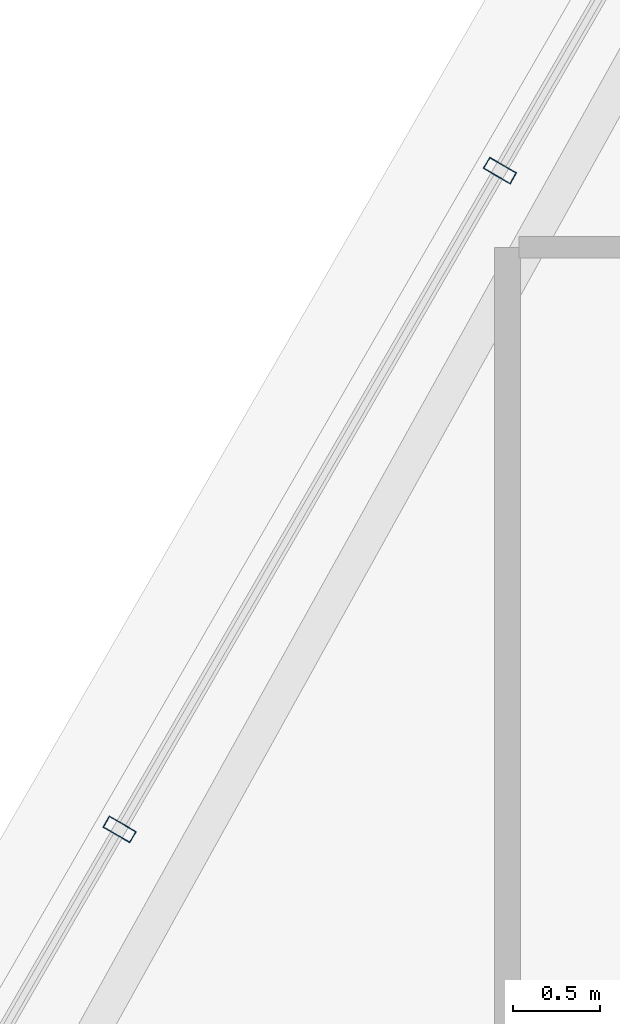
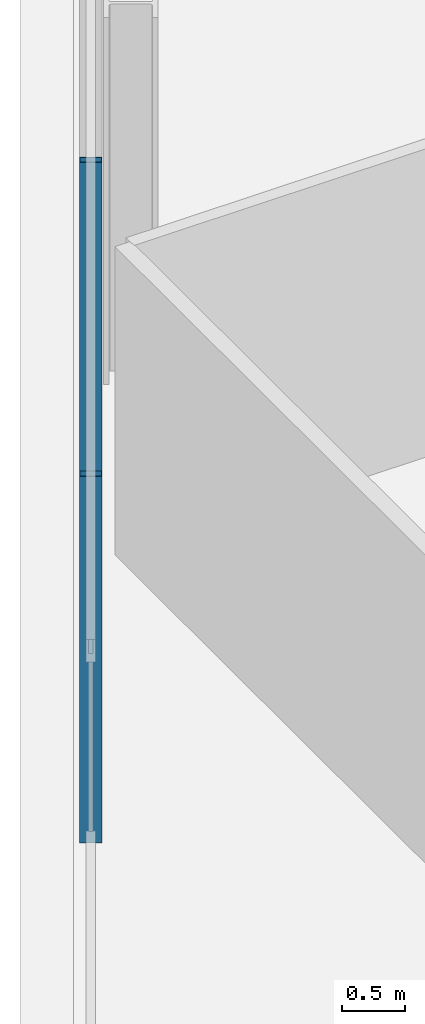
# One storey, part 10 of 29: 2 members, 1 element without a shape of its own.
"""IFC4 building model written with IfcOpenShell, lengths in metres."""

from ifc_helpers import new_model, si_unit, direction, frame, origin, origin_2d, place, context, subcontext, project, spatial, hollow_rectangle, extrude, material, layer, layer_set, material_profile, profile_set, type_object, element, aggregate, save


model = new_model("IFC4")

# Units and contexts
model_context = context("Model", 3, precision=1e-05, world=origin(), true_north=direction((0.0, 1.0)))
body_context = subcontext(model_context, "Body", "Model", "MODEL_VIEW")
ifc_project = project(units=[si_unit("LENGTHUNIT", "METRE"), si_unit("AREAUNIT", "SQUARE_METRE"), si_unit("VOLUMEUNIT", "CUBIC_METRE"), si_unit("PLANEANGLEUNIT", "RADIAN"), si_unit("MASSUNIT", "GRAM", prefix="KILO")], contexts=[model_context])

# Site, building, storey
site_placement = place(None, origin())
site = spatial("IfcSite", under=ifc_project, at=site_placement, CompositionType="ELEMENT")
building_placement = place(site_placement, origin())
building = spatial("IfcBuilding", under=site, at=building_placement, Name="Ndaravel Arena Tower", CompositionType="ELEMENT")
storey_placement = place(building_placement, frame((0.0, 0.0, 240.800048828125)))
storey = spatial("IfcBuildingStorey", under=building, at=storey_placement, Name="L58", CompositionType="ELEMENT", Elevation=240.800048828125)

# Curtain wall, members
ifc_material_1 = material(Name="Aluminium", Category="aluminium")
ifc_layer = layer(ifc_material_1, 0.179931640625)
ifc_layer_set = layer_set([ifc_layer], Name="Aluminium")
curtain_wall_type = type_object("IfcCurtainWallType", Name="CW-SYS-03", PredefinedType="NOTDEFINED", material=ifc_layer_set)
curtain_wall_placement = place(storey_placement, origin())
curtain_wall = element("IfcCurtainWall", 1, at=curtain_wall_placement, inside=storey, type_object=curtain_wall_type, Name="L58 Faceted Crystal Curtain Wall CW-L58-E05", PredefinedType="NOTDEFINED")
ifc_material_2 = material(Name="Aluminium", Category="aluminium")
ifc_material_profile = material_profile(ifc_material_2, hollow_rectangle(XDim=0.074951171875, YDim=0.179931640625, WallThickness=0.00390625, at=origin_2d()), Name="CW MULLION 75x180x4")
ifc_profile_set = profile_set([ifc_material_profile], Name="Aluminium")
member_type = type_object("IfcMemberType", Name="MEM-CW-MUL180", PredefinedType="MULLION", material=ifc_profile_set)
member_1_placement = place(storey_placement, frame((27.75634765625, 26.041015625, 0.0), z_axis=(0.0, 0.0, 1.0), x_axis=(-0.5, -0.866025403784, 0.0)))
member_1 = element("IfcMember", 2, at=member_1_placement, type_object=member_type, Name="CW-L58-E05 Mullion 05", PredefinedType="MULLION", context=body_context, shape_type="SweptSolid", body=[
    extrude(hollow_rectangle(XDim=0.074951171875, YDim=0.179931640625, WallThickness=0.00390625, at=origin_2d()), origin(), (0.0, 0.0, 1.0), 3.579833984375),
])
member_2_placement = place(storey_placement, frame((25.568359375, 22.251220703125, 0.0), z_axis=(0.0, 0.0, 1.0), x_axis=(-0.5, -0.866025403784, 0.0)))
member_2 = element("IfcMember", 3, at=member_2_placement, type_object=member_type, Name="CW-L58-E05 Mullion 06", PredefinedType="MULLION", context=body_context, shape_type="SweptSolid", body=[
    extrude(hollow_rectangle(XDim=0.074951171875, YDim=0.179931640625, WallThickness=0.00390625, at=origin_2d()), origin(), (0.0, 0.0, 1.0), 3.579833984375),
])
aggregate(curtain_wall, [member_1, member_2])

save(model, "model.ifc")
